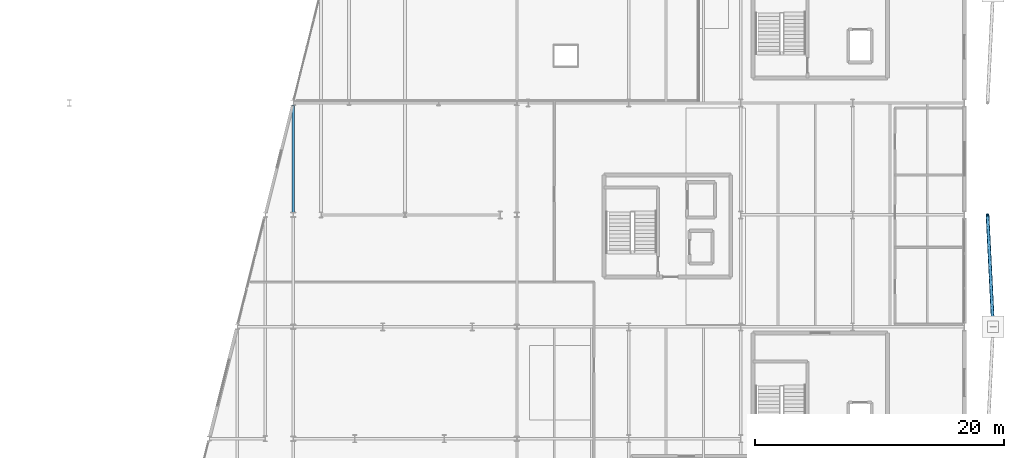
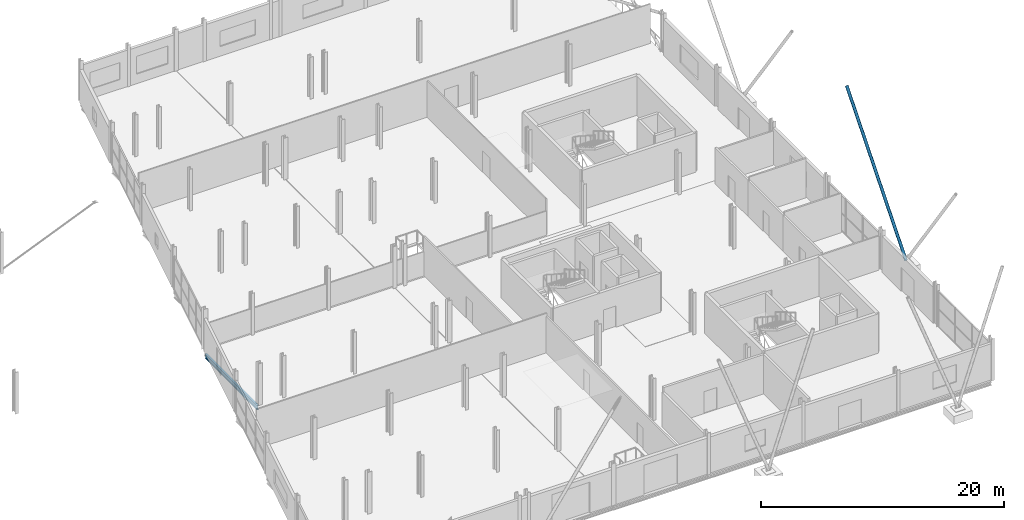
# One storey, part 90 of 140: 1 beam, 1 member.
"""IFC4 building model written with IfcOpenShell, lengths in metres."""

from ifc_helpers import new_model, si_unit, direction, frame, origin, origin_2d, place, context, subcontext, project, spatial, hollow_circle, i_section, extrude, material, material_profile, profile_set, type_object, element, save


model = new_model("IFC4")

# Units and contexts
model_context = context("Model", 3, precision=1e-05, world=origin(), true_north=direction((0.0, 1.0)))
body_context = subcontext(model_context, "Body", "Model", "MODEL_VIEW")
ifc_project = project(units=[si_unit("LENGTHUNIT", "METRE"), si_unit("AREAUNIT", "SQUARE_METRE"), si_unit("VOLUMEUNIT", "CUBIC_METRE"), si_unit("PLANEANGLEUNIT", "RADIAN"), si_unit("MASSUNIT", "GRAM", prefix="KILO")], contexts=[model_context])

# Site, building, storey
site_placement = place(None, origin())
site = spatial("IfcSite", under=ifc_project, at=site_placement, CompositionType="ELEMENT")
building_placement = place(site_placement, origin())
building = spatial("IfcBuilding", under=site, at=building_placement, Name="Deido Ridge Mobility Hub", CompositionType="ELEMENT")
storey_placement = place(building_placement, origin())
storey = spatial("IfcBuildingStorey", under=building, at=storey_placement, Name="L00", CompositionType="ELEMENT", Elevation=0.0)

# Beam
ifc_material_1 = material(Name="Steel S355J2 EN 10025-2", Category="steel")
ifc_material_profile_1 = material_profile(ifc_material_1, i_section(OverallWidth=0.18994140625, OverallDepth=0.449951171875, WebThickness=0.009521484375, FlangeThickness=0.0146484375, FilletRadius=0.02099609375, at=origin_2d()), Name="IPE 450")
ifc_profile_set_1 = profile_set([ifc_material_profile_1], Name="Steel S355J2 EN 10025-2")
beam_type = type_object("IfcBeamType", Name="BM-IPE450", PredefinedType="BEAM", material=ifc_profile_set_1)
beam_placement = place(storey_placement, frame((126.0, 27.196533203125, -0.485107421875), z_axis=(0.0, 1.0, 0.0), x_axis=(-1.0, 0.0, 0.0)))
element("IfcBeam", 1, at=beam_placement, inside=storey, type_object=beam_type, Name="Floor beam B4", PredefinedType="BEAM", context=body_context, shape_type="SweptSolid", body=[
    extrude(i_section(OverallWidth=0.18994140625, OverallDepth=0.449951171875, WebThickness=0.009521484375, FlangeThickness=0.0146484375, FilletRadius=0.02099609375, at=origin_2d()), origin(), (0.0, 0.0, 1.0), 8.60693359375),
])

# Member
ifc_material_2 = material(Name="Steel S355J2H EN 10210-1", Category="steel")
ifc_material_profile_2 = material_profile(ifc_material_2, hollow_circle(Radius=0.136474609375, WallThickness=0.012451171875, at=origin_2d()), Name="CHS 273x12.5")
ifc_profile_set_2 = profile_set([ifc_material_profile_2], Name="Steel S355J2H EN 10210-1")
member_type = type_object("IfcMemberType", Name="MEM-BRC-CHS273", PredefinedType="BRACE", material=ifc_profile_set_2)
member_placement = place(storey_placement, frame((182.300048828125, 18.0, 0.1650390625), z_axis=(-0.029533007988, 0.59072425745, 0.806332842627), x_axis=(-0.998752609117, -0.049932211876, 0.0)))
element("IfcMember", 2, at=member_placement, inside=storey, type_object=member_type, Name="Deconstructivist exoskeleton raked V-strut BR1", PredefinedType="BRACE", context=body_context, shape_type="SweptSolid", body=[
    extrude(hollow_circle(Radius=0.136474609375, WallThickness=0.012451171875, at=origin_2d()), origin(), (0.0, 0.0, 1.0), 15.235595703125),
])

save(model, "model.ifc")
